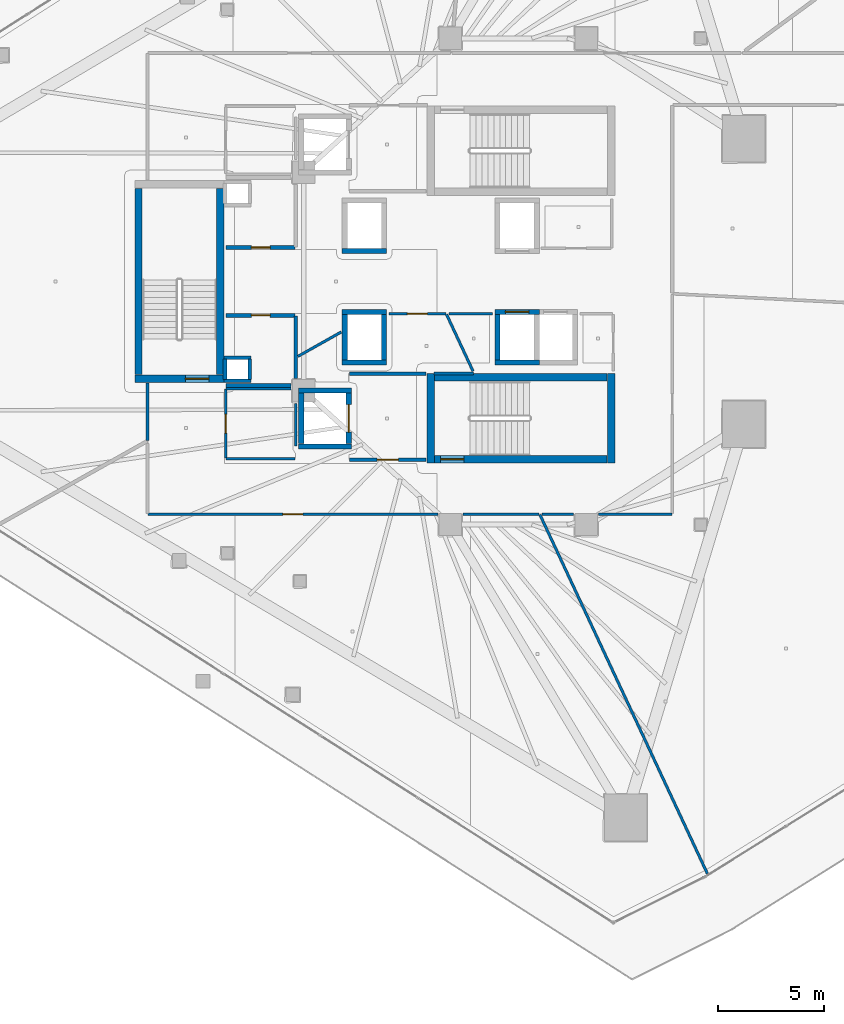
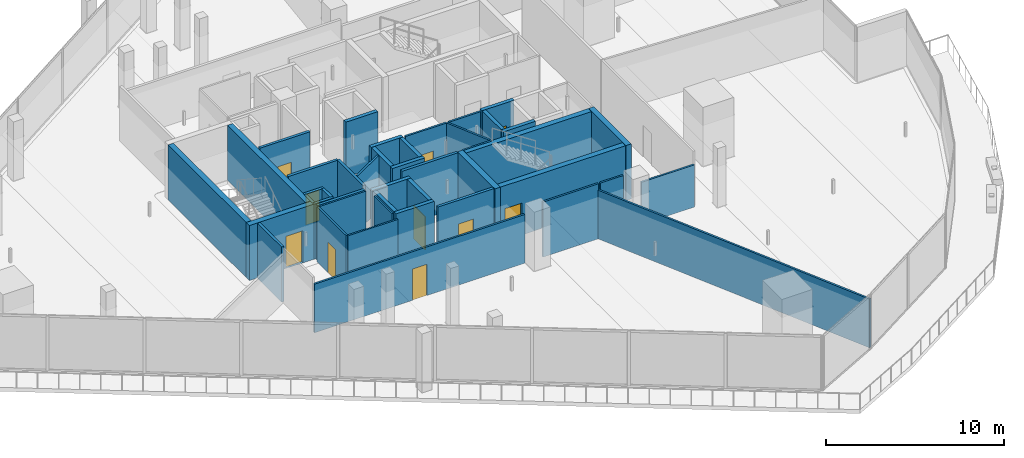
# One storey, part 25 of 38: 44 walls, 10 doors, 10 openings.
"""IFC4 building model written with IfcOpenShell, lengths in metres."""

from ifc_helpers import new_model, si_unit, direction, frame, frame_2d, origin, place, context, subcontext, project, spatial, rectangle, extrude, material, layer, layer_set, type_object, element, fill, save


model = new_model("IFC4")

# Units and contexts
model_context = context("Model", 3, precision=1e-05, world=origin(), true_north=direction((0.0, 1.0)))
body_context = subcontext(model_context, "Body", "Model", "MODEL_VIEW")
ifc_project = project(units=[si_unit("LENGTHUNIT", "METRE"), si_unit("AREAUNIT", "SQUARE_METRE"), si_unit("VOLUMEUNIT", "CUBIC_METRE"), si_unit("PLANEANGLEUNIT", "RADIAN"), si_unit("MASSUNIT", "GRAM", prefix="KILO")], contexts=[model_context])

# Site, building, storey
site_placement = place(None, origin())
site = spatial("IfcSite", under=ifc_project, at=site_placement, CompositionType="ELEMENT")
building_placement = place(site_placement, origin())
building = spatial("IfcBuilding", under=site, at=building_placement, Name="Qorvath Tower", CompositionType="ELEMENT")
storey_placement = place(building_placement, frame((0.0, 0.0, 134.10009765625)))
storey = spatial("IfcBuildingStorey", under=building, at=storey_placement, Name="L30", CompositionType="ELEMENT", Elevation=134.10009765625)

# Walls
ifc_material_1 = material(Name="Gypsum shaftliner on steel studs", Category="steel")
ifc_layer_1 = layer(ifc_material_1, 0.179931640625)
ifc_layer_set_1 = layer_set([ifc_layer_1], Name="FW-LOBBY")
wall_type_1 = type_object("IfcWallType", Name="FW-LOBBY", PredefinedType="PARTITIONING", material=ifc_layer_set_1)
for number, where, z_axis, x_axis, name in (
    (1, (-32.989990234375, -4.675048828125, 0.0), (0.0, 0.0, 1.0), (-1.0, 0.0, 0.0), "MEP Riser Shaft Enclosure Wall S-L30-S"),
    (2, (-34.260009765625, -3.594970703125, 0.0), (0.0, 0.0, 1.0), (1.0, 0.0, 0.0), "MEP Riser Shaft Enclosure Wall S-L30-N"),
):
    element("IfcWall", number, at=place(storey_placement, frame(where, z_axis=z_axis, x_axis=x_axis)), inside=storey, type_object=wall_type_1, Name=name, PredefinedType="PARTITIONING", context=body_context, shape_type="SweptSolid", body=[
        extrude(rectangle(XDim=1.27001953125, YDim=0.179931640625, at=frame_2d((0.635009765625, 0.0))), origin(), (0.0, 0.0, 1.0), 3.77978515625),
    ])
for number, where, z_axis, x_axis, name in (
    (3, (-34.205078125, -4.610107421875, 0.0), (0.0, 0.0, 1.0), (0.0, 1.0, 0.0), "MEP Riser Shaft Enclosure Wall S-L30-W"),
    (4, (-33.044921875, -3.659912109375, 0.0), (0.0, 0.0, 1.0), (0.0, -1.0, 0.0), "MEP Riser Shaft Enclosure Wall S-L30-E"),
):
    element("IfcWall", number, at=place(storey_placement, frame(where, z_axis=z_axis, x_axis=x_axis)), inside=storey, type_object=wall_type_1, Name=name, PredefinedType="PARTITIONING", context=body_context, shape_type="SweptSolid", body=[
        extrude(rectangle(XDim=0.9501953125, YDim=0.179931640625, at=frame_2d((0.47509765625, 0.0))), origin(), (0.0, 0.0, 1.0), 3.77978515625),
    ])

# Wall, opening, door
wall_1_placement = place(storey_placement, frame((-28.35498046875, -8.39990234375, 0.0), z_axis=(0.0, 0.0, 1.0), x_axis=(1.0, 0.0, 0.0)))
wall_1 = element("IfcWall", 5, at=wall_1_placement, inside=storey, type_object=wall_type_1, Name="Interior Partition IW-T1-L30-003", PredefinedType="PARTITIONING", context=body_context, shape_type="SweptSolid", body=[
    extrude(rectangle(XDim=3.6220703125, YDim=0.179931640625, at=frame_2d((1.81103515625, 0.0))), origin(), (0.0, 0.0, 1.0), 3.77978515625),
])
opening_1_placement = place(wall_1_placement, frame((1.31103515625, 0.0, 0.0)))
opening_1 = element("IfcOpeningElement", 6, at=opening_1_placement, cuts=wall_1, Name="Opening D-T1-L30-14", PredefinedType="OPENING", context=body_context, shape_type="SweptSolid", body=[
    extrude(rectangle(XDim=1.0, YDim=2.14990234375, at=frame_2d((0.5, 1.074951171875))), frame((0.0, 0.10009765625, 0.0), z_axis=(0.0, -1.0, 0.0), x_axis=(1.0, 0.0, 0.0)), (0.0, 0.0, 1.0), 0.199951171875),
])
ifc_material_2 = material(Name="Painted galvanised hollow metal", Category="steel")
door_type_1 = type_object("IfcDoorType", Name="FD-60", OperationType="NOTDEFINED", PredefinedType="DOOR", material=ifc_material_2)
door_1_placement = place(opening_1_placement, origin())
door_1 = element("IfcDoor", 7, at=door_1_placement, inside=storey, type_object=door_type_1, Name="Lobby Fire Service Elevator South Door D-T1-L30-14", OperationType="SINGLE_SWING_LEFT", OverallHeight=2.14990234375, OverallWidth=1.0, PredefinedType="DOOR", context=body_context, shape_type="SweptSolid", body=[
    extrude(rectangle(XDim=1.0, YDim=2.14990234375, at=frame_2d((0.5, 1.074951171875))), frame((0.0, 0.02490234375, 0.0), z_axis=(0.0, -1.0, 0.0), x_axis=(1.0, 0.0, 0.0)), (0.0, 0.0, 1.0), 0.050048828125),
])
fill(opening_1, door_1)

# Wall
wall_2_placement = place(storey_placement, frame((-24.73291015625, -4.35009765625, 0.0), z_axis=(0.0, 0.0, 1.0), x_axis=(-1.0, 0.0, 0.0)))
element("IfcWall", 8, at=wall_2_placement, inside=storey, type_object=wall_type_1, Name="Interior Partition IW-T1-L30-004", PredefinedType="PARTITIONING", context=body_context, shape_type="SweptSolid", body=[
    extrude(rectangle(XDim=3.6220703125, YDim=0.179931640625, at=frame_2d((1.81103515625, 0.0))), origin(), (0.0, 0.0, 1.0), 3.77978515625),
])

# Wall, opening, door
wall_3_placement = place(storey_placement, frame((-34.15478515625, 1.60009765625, 0.0), z_axis=(0.0, 0.0, 1.0), x_axis=(1.0, 0.0, 0.0)))
wall_3 = element("IfcWall", 9, at=wall_3_placement, inside=storey, type_object=wall_type_1, Name="Interior Partition IW-T1-L30-015", PredefinedType="PARTITIONING", context=body_context, shape_type="SweptSolid", body=[
    extrude(rectangle(XDim=3.25, YDim=0.179931640625, at=frame_2d((1.625, 0.0))), origin(), (0.0, 0.0, 1.0), 3.77978515625),
])
opening_2_placement = place(wall_3_placement, frame((1.18505859375, 0.0, 0.0)))
opening_2 = element("IfcOpeningElement", 10, at=opening_2_placement, cuts=wall_3, Name="Opening D-T1-L30-04", PredefinedType="OPENING", context=body_context, shape_type="SweptSolid", body=[
    extrude(rectangle(XDim=0.8798828125, YDim=2.10009765625, at=frame_2d((0.43994140625, 1.050048828125))), frame((0.0, 0.10009765625, 0.0), z_axis=(0.0, -1.0, 0.0), x_axis=(1.0, 0.0, 0.0)), (0.0, 0.0, 1.0), 0.199951171875),
])
ifc_material_3 = material(Name="Painted galvanised hollow metal", Category="steel")
door_type_2 = type_object("IfcDoorType", Name="FD-60N", OperationType="NOTDEFINED", PredefinedType="DOOR", material=ifc_material_3)
door_2_placement = place(opening_2_placement, origin())
door_2 = element("IfcDoor", 11, at=door_2_placement, inside=storey, type_object=door_type_2, Name="Core cleaner and custodial room L30 Door D-T1-L30-04", OperationType="SINGLE_SWING_LEFT", OverallHeight=2.10009765625, OverallWidth=0.8798828125, PredefinedType="DOOR", context=body_context, shape_type="SweptSolid", body=[
    extrude(rectangle(XDim=0.8798828125, YDim=2.10009765625, at=frame_2d((0.43994140625, 1.050048828125))), frame((0.0, 0.02490234375, 0.0), z_axis=(0.0, -1.0, 0.0), x_axis=(1.0, 0.0, 0.0)), (0.0, 0.0, 1.0), 0.050048828125),
])
fill(opening_2, door_2)

# Walls
wall_4_placement = place(storey_placement, frame((-34.15478515625, -4.89990234375, 0.0), z_axis=(0.0, 0.0, 1.0), x_axis=(1.0, 0.0, 0.0)))
element("IfcWall", 12, at=wall_4_placement, inside=storey, type_object=wall_type_1, Name="Interior Partition IW-T1-L30-018", PredefinedType="PARTITIONING", context=body_context, shape_type="SweptSolid", body=[
    extrude(rectangle(XDim=3.064697265625, YDim=0.179931640625, at=frame_2d((1.5322265625, 0.0))), origin(), (0.0, 0.0, 1.0), 3.77978515625),
])
wall_5_placement = place(storey_placement, frame((-30.8798828125, -4.56005859375, 0.0), z_axis=(0.0, 0.0, 1.0), x_axis=(0.0, 1.0, 0.0)))
element("IfcWall", 13, at=wall_5_placement, inside=storey, type_object=wall_type_1, Name="Interior Partition IW-T1-L30-019", PredefinedType="PARTITIONING", context=body_context, shape_type="SweptSolid", body=[
    extrude(rectangle(XDim=2.93505859375, YDim=0.179931640625, at=frame_2d((1.467529296875, 0.0))), origin(), (0.0, 0.0, 1.0), 3.77978515625),
])

# Wall, opening, door
wall_6_placement = place(storey_placement, frame((-30.90478515625, -1.60009765625, 0.0), z_axis=(0.0, 0.0, 1.0), x_axis=(-1.0, 0.0, 0.0)))
wall_6 = element("IfcWall", 14, at=wall_6_placement, inside=storey, type_object=wall_type_1, Name="Interior Partition IW-T1-L30-020", PredefinedType="PARTITIONING", context=body_context, shape_type="SweptSolid", body=[
    extrude(rectangle(XDim=3.25, YDim=0.179931640625, at=frame_2d((1.625, 0.0))), origin(), (0.0, 0.0, 1.0), 3.77978515625),
])
opening_3_placement = place(wall_6_placement, frame((1.18505859375, 0.0, 0.0)))
opening_3 = element("IfcOpeningElement", 15, at=opening_3_placement, cuts=wall_6, Name="Opening D-T1-L30-05", PredefinedType="OPENING", context=body_context, shape_type="SweptSolid", body=[
    extrude(rectangle(XDim=0.8798828125, YDim=2.10009765625, at=frame_2d((0.43994140625, 1.050048828125))), frame((0.0, 0.10009765625, 0.0), z_axis=(0.0, -1.0, 0.0), x_axis=(1.0, 0.0, 0.0)), (0.0, 0.0, 1.0), 0.199951171875),
])
door_3_placement = place(opening_3_placement, origin())
door_3 = element("IfcDoor", 16, at=door_3_placement, inside=storey, type_object=door_type_2, Name="Core electrical room L30 Door D-T1-L30-05", OperationType="SINGLE_SWING_RIGHT", OverallHeight=2.10009765625, OverallWidth=0.8798828125, PredefinedType="DOOR", context=body_context, shape_type="SweptSolid", body=[
    extrude(rectangle(XDim=0.8798828125, YDim=2.10009765625, at=frame_2d((0.43994140625, 1.050048828125))), frame((0.0, 0.02490234375, 0.0), z_axis=(0.0, -1.0, 0.0), x_axis=(1.0, 0.0, 0.0)), (0.0, 0.0, 1.0), 0.050048828125),
])
fill(opening_3, door_3)

# Wall
ifc_material_4 = material(Name="Double acoustic gypsum board on steel studs", Category="steel")
ifc_layer_2 = layer(ifc_material_4, 0.159912109375)
ifc_layer_set_2 = layer_set([ifc_layer_2], Name="IW-ACOUSTIC-160")
wall_type_2 = type_object("IfcWallType", Name="IW-ACOUSTIC-160", PredefinedType="PARTITIONING", material=ifc_layer_set_2)
wall_7_placement = place(storey_placement, frame((-37.85791015625, -7.48388671875, 0.0), z_axis=(0.0, 0.0, 1.0), x_axis=(0.0, 1.0, 0.0)))
element("IfcWall", 17, at=wall_7_placement, inside=storey, type_object=wall_type_2, Name="Interior Partition IW-T1-L30-021", PredefinedType="PARTITIONING", context=body_context, shape_type="SweptSolid", body=[
    extrude(rectangle(XDim=2.70068359375, YDim=0.159912109375, at=frame_2d((1.350341796875, 0.0))), origin(), (0.0, 0.0, 1.0), 3.77978515625),
])

# Wall, opening, door
ifc_material_5 = material(Name="Gypsum board on metal studs with mineral wool", Category="gypsum")
ifc_layer_3 = layer(ifc_material_5, 0.125)
ifc_layer_set_3 = layer_set([ifc_layer_3], Name="IW-PART-125")
wall_type_3 = type_object("IfcWallType", Name="IW-PART-125", PredefinedType="PARTITIONING", material=ifc_layer_set_3)
wall_8_placement = place(storey_placement, frame((-24.18994140625, -10.9580078125, 0.0), z_axis=(0.0, 0.0, 1.0), x_axis=(-1.0, 0.0, 0.0)))
wall_8 = element("IfcWall", 18, at=wall_8_placement, inside=storey, type_object=wall_type_3, Name="Interior Partition IW-T1-L30-026", PredefinedType="PARTITIONING", context=body_context, shape_type="SweptSolid", body=[
    extrude(rectangle(XDim=13.64306640625, YDim=0.125, at=frame_2d((6.821533203125, 0.0))), origin(), (0.0, 0.0, 1.0), 3.343994140625),
])
opening_4_placement = place(wall_8_placement, frame((6.346435546875, 0.0, 0.0)))
opening_4 = element("IfcOpeningElement", 19, at=opening_4_placement, cuts=wall_8, Name="Opening D-T1-L30-07", PredefinedType="OPENING", context=body_context, shape_type="SweptSolid", body=[
    extrude(rectangle(XDim=0.949951171875, YDim=2.14990234375, at=frame_2d((0.47509765625, 1.074951171875))), frame((0.0, 0.072509765625, 0.0), z_axis=(0.0, -1.0, 0.0), x_axis=(1.0, 0.0, 0.0)), (0.0, 0.0, 1.0), 0.14501953125),
])
ifc_material_6 = material(Name="Solid-core American white oak veneer", Category="wood")
door_type_3 = type_object("IfcDoorType", Name="D-01", OperationType="NOTDEFINED", PredefinedType="DOOR", material=ifc_material_6)
door_4_placement = place(opening_4_placement, origin())
door_4 = element("IfcDoor", 20, at=door_4_placement, inside=storey, type_object=door_type_3, Name="L30-02 Project Collaboration Workspace Door D-T1-L30-07", OperationType="SINGLE_SWING_RIGHT", OverallHeight=2.14990234375, OverallWidth=0.949951171875, PredefinedType="DOOR", context=body_context, shape_type="SweptSolid", body=[
    extrude(rectangle(XDim=0.949951171875, YDim=2.14990234375, at=frame_2d((0.47509765625, 1.074951171875))), frame((0.0, 0.02490234375, 0.0), z_axis=(0.0, -1.0, 0.0), x_axis=(1.0, 0.0, 0.0)), (0.0, 0.0, 1.0), 0.050048828125),
])
fill(opening_4, door_4)

# Walls
wall_9_placement = place(storey_placement, frame((-11.495849609375, -27.8818359375, 0.0), z_axis=(0.0, 0.0, 1.0), x_axis=(-0.422692669293, 0.906273086507, 0.0)))
element("IfcWall", 21, at=wall_9_placement, inside=storey, type_object=wall_type_3, Name="Interior Partition IW-T1-L30-028", PredefinedType="PARTITIONING", context=body_context, shape_type="SweptSolid", body=[
    extrude(rectangle(XDim=18.64892578125, YDim=0.125, at=frame_2d((9.324462890625, 0.0))), origin(), (0.0, 0.0, 1.0), 3.343994140625),
])
wall_10_placement = place(storey_placement, frame((-19.414306640625, -10.9580078125, 0.0), z_axis=(0.0, 0.0, 1.0), x_axis=(-1.0, 0.0, 0.0)))
element("IfcWall", 22, at=wall_10_placement, inside=storey, type_object=wall_type_3, Name="Interior Partition IW-T1-L30-029", PredefinedType="PARTITIONING", context=body_context, shape_type="SweptSolid", body=[
    extrude(rectangle(XDim=3.595703125, YDim=0.125, at=frame_2d((1.7978515625, 0.0))), origin(), (0.0, 0.0, 1.0), 3.77978515625),
])

# Wall, opening, door
wall_11_placement = place(storey_placement, frame((-23.8125, -1.528076171875, 0.0), z_axis=(0.0, 0.0, 1.0), x_axis=(-1.0, 0.0, 0.0)))
wall_11 = element("IfcWall", 23, at=wall_11_placement, inside=storey, type_object=wall_type_3, Name="Interior Partition IW-T1-L30-030", PredefinedType="PARTITIONING", context=body_context, shape_type="SweptSolid", body=[
    extrude(rectangle(XDim=2.6728515625, YDim=0.125, at=frame_2d((1.33642578125, 0.0))), origin(), (0.0, 0.0, 1.0), 3.77978515625),
])
opening_5_placement = place(wall_11_placement, frame((0.861328125, 0.0, 0.0)))
opening_5 = element("IfcOpeningElement", 24, at=opening_5_placement, cuts=wall_11, Name="Opening D-T1-L30-08", PredefinedType="OPENING", context=body_context, shape_type="SweptSolid", body=[
    extrude(rectangle(XDim=0.949951171875, YDim=2.14990234375, at=frame_2d((0.47509765625, 1.074951171875))), frame((0.0, 0.072509765625, 0.0), z_axis=(0.0, -1.0, 0.0), x_axis=(1.0, 0.0, 0.0)), (0.0, 0.0, 1.0), 0.14501953125),
])
door_5_placement = place(opening_5_placement, origin())
door_5 = element("IfcDoor", 25, at=door_5_placement, inside=storey, type_object=door_type_3, Name="L30-03 Staff Wellness Studio Door D-T1-L30-08", OperationType="SINGLE_SWING_LEFT", OverallHeight=2.14990234375, OverallWidth=0.949951171875, PredefinedType="DOOR", context=body_context, shape_type="SweptSolid", body=[
    extrude(rectangle(XDim=0.949951171875, YDim=2.14990234375, at=frame_2d((0.47509765625, 1.074951171875))), frame((0.0, 0.02490234375, 0.0), z_axis=(0.0, -1.0, 0.0), x_axis=(1.0, 0.0, 0.0)), (0.0, 0.0, 1.0), 0.050048828125),
])
fill(opening_5, door_5)

# Walls
wall_12_placement = place(storey_placement, frame((-28.73193359375, -2.37890625, 0.0), z_axis=(0.0, 0.0, 1.0), x_axis=(-0.871711937641, -0.490018670842, 0.0)))
element("IfcWall", 26, at=wall_12_placement, inside=storey, type_object=wall_type_3, Name="Interior Partition IW-T1-L30-031", PredefinedType="PARTITIONING", context=body_context, shape_type="SweptSolid", body=[
    extrude(rectangle(XDim=2.341552734375, YDim=0.125, at=frame_2d((1.1708984375, 0.0))), origin(), (0.0, 0.0, 1.0), 3.77978515625),
])
wall_13_placement = place(storey_placement, frame((-24.360107421875, -4.335205078125, 0.0), z_axis=(0.0, 0.0, 1.0), x_axis=(0.999998537438, 0.001710298775, 0.0)))
element("IfcWall", 27, at=wall_13_placement, inside=storey, type_object=wall_type_3, Name="Interior Partition IW-T1-L30-032", PredefinedType="PARTITIONING", context=body_context, shape_type="SweptSolid", body=[
    extrude(rectangle(XDim=1.855712890625, YDim=0.125, at=frame_2d((0.927734375, 0.0))), origin(), (0.0, 0.0, 1.0), 3.77978515625),
])
wall_14_placement = place(storey_placement, frame((-22.52978515625, -4.224365234375, 0.0), z_axis=(0.0, 0.0, 1.0), x_axis=(-0.422717831819, 0.906261350088, 0.0)))
element("IfcWall", 28, at=wall_14_placement, inside=storey, type_object=wall_type_3, Name="Interior Partition IW-T1-L30-033", PredefinedType="PARTITIONING", context=body_context, shape_type="SweptSolid", body=[
    extrude(rectangle(XDim=2.9501953125, YDim=0.125, at=frame_2d((1.47509765625, 0.0))), origin(), (0.0, 0.0, 1.0), 3.77978515625),
])
wall_15_placement = place(storey_placement, frame((-17.7900390625, -10.9580078125, 0.0), z_axis=(0.0, 0.0, 1.0), x_axis=(-1.0, 0.0, 0.0)))
element("IfcWall", 29, at=wall_15_placement, inside=storey, type_object=wall_type_3, Name="Interior Partition IW-T1-L30-034", PredefinedType="PARTITIONING", context=body_context, shape_type="SweptSolid", body=[
    extrude(rectangle(XDim=1.48046875, YDim=0.125, at=frame_2d((0.740234375, 0.0))), origin(), (0.0, 0.0, 1.0), 3.77978515625),
])
wall_16_placement = place(storey_placement, frame((-13.1669921875, -10.9580078125, 0.0), z_axis=(0.0, 0.0, 1.0), x_axis=(-1.0, 0.0, 0.0)))
element("IfcWall", 30, at=wall_16_placement, inside=storey, type_object=wall_type_3, Name="Interior Partition IW-T1-L30-037", PredefinedType="PARTITIONING", context=body_context, shape_type="SweptSolid", body=[
    extrude(rectangle(XDim=3.443115234375, YDim=0.125, at=frame_2d((1.7216796875, 0.0))), origin(), (0.0, 0.0, 1.0), 2.894775390625),
])
wall_17_placement = place(storey_placement, frame((-21.61474609375, -1.528076171875, 0.0), z_axis=(0.0, 0.0, 1.0), x_axis=(-1.0, 0.0, 0.0)))
element("IfcWall", 31, at=wall_17_placement, inside=storey, type_object=wall_type_3, Name="Interior Partition IW-T1-L30-040", PredefinedType="PARTITIONING", context=body_context, shape_type="SweptSolid", body=[
    extrude(rectangle(XDim=2.053955078125, YDim=0.125, at=frame_2d((1.02685546875, 0.0))), origin(), (0.0, 0.0, 1.0), 3.77978515625),
])
ifc_material_7 = material(Name="Moisture-resistant cement board on metal studs", Category="gypsum")
ifc_layer_4 = layer(ifc_material_7, 0.110107421875)
ifc_layer_set_4 = layer_set([ifc_layer_4], Name="IW-WC-110")
wall_type_4 = type_object("IfcWallType", Name="IW-WC-110", PredefinedType="PARTITIONING", material=ifc_layer_set_4)
wall_18_placement = place(storey_placement, frame((-34.15478515625, -8.35009765625, 0.0), z_axis=(0.0, 0.0, 1.0), x_axis=(1.0, 0.0, 0.0)))
element("IfcWall", 32, at=wall_18_placement, inside=storey, type_object=wall_type_4, Name="Interior Partition IW-T1-L30-009", PredefinedType="PARTITIONING", context=body_context, shape_type="SweptSolid", body=[
    extrude(rectangle(XDim=3.25, YDim=0.110107421875, at=frame_2d((1.625, 0.0))), origin(), (0.0, 0.0, 1.0), 3.77978515625),
])
wall_19_placement = place(storey_placement, frame((-30.8798828125, -7.742919921875, 0.0), z_axis=(0.0, 0.0, 1.0), x_axis=(0.0, 1.0, 0.0)))
element("IfcWall", 33, at=wall_19_placement, inside=storey, type_object=wall_type_4, Name="Interior Partition IW-T1-L30-010", PredefinedType="PARTITIONING", context=body_context, shape_type="SweptSolid", body=[
    extrude(rectangle(XDim=2.0029296875, YDim=0.110107421875, at=frame_2d((1.00146484375, 0.0))), origin(), (0.0, 0.0, 1.0), 3.77978515625),
])
wall_20_placement = place(storey_placement, frame((-31.090087890625, -5.050048828125, 0.0), z_axis=(0.0, 0.0, 1.0), x_axis=(-1.0, 0.0, 0.0)))
element("IfcWall", 34, at=wall_20_placement, inside=storey, type_object=wall_type_4, Name="Interior Partition IW-T1-L30-011", PredefinedType="PARTITIONING", context=body_context, shape_type="SweptSolid", body=[
    extrude(rectangle(XDim=3.064697265625, YDim=0.110107421875, at=frame_2d((1.5322265625, 0.0))), origin(), (0.0, 0.0, 1.0), 3.77978515625),
])

# Wall, opening, door
wall_21_placement = place(storey_placement, frame((-34.179931640625, -5.074951171875, 0.0), z_axis=(0.0, 0.0, 1.0), x_axis=(0.0, -1.0, 0.0)))
wall_21 = element("IfcWall", 35, at=wall_21_placement, inside=storey, type_object=wall_type_4, Name="Interior Partition IW-T1-L30-012", PredefinedType="PARTITIONING", context=body_context, shape_type="SweptSolid", body=[
    extrude(rectangle(XDim=3.250244140625, YDim=0.110107421875, at=frame_2d((1.625, 0.0))), origin(), (0.0, 0.0, 1.0), 3.77978515625),
])
opening_6_placement = place(wall_21_placement, frame((1.18505859375, 0.0, 0.0)))
opening_6 = element("IfcOpeningElement", 36, at=opening_6_placement, cuts=wall_21, Name="Opening D-T1-L30-02", PredefinedType="OPENING", context=body_context, shape_type="SweptSolid", body=[
    extrude(rectangle(XDim=0.8798828125, YDim=2.10009765625, at=frame_2d((0.43994140625, 1.050048828125))), frame((0.0, 0.06494140625, 0.0), z_axis=(0.0, -1.0, 0.0), x_axis=(1.0, 0.0, 0.0)), (0.0, 0.0, 1.0), 0.130126953125),
])
ifc_material_8 = material(Name="Solid-core oak with acoustic drop seal", Category="wood")
door_type_4 = type_object("IfcDoorType", Name="D-02", OperationType="NOTDEFINED", PredefinedType="DOOR", material=ifc_material_8)
door_6_placement = place(opening_6_placement, origin())
door_6 = element("IfcDoor", 37, at=door_6_placement, inside=storey, type_object=door_type_4, Name="Accessible WC South L30 Door D-T1-L30-02", OperationType="SINGLE_SWING_LEFT", OverallHeight=2.10009765625, OverallWidth=0.8798828125, PredefinedType="DOOR", context=body_context, shape_type="SweptSolid", body=[
    extrude(rectangle(XDim=0.8798828125, YDim=2.10009765625, at=frame_2d((0.43994140625, 1.050048828125))), frame((0.0, 0.02490234375, 0.0), z_axis=(0.0, -1.0, 0.0), x_axis=(1.0, 0.0, 0.0)), (0.0, 0.0, 1.0), 0.050048828125),
])
fill(opening_6, door_6)

# Walls
ifc_material_9 = material(Name="Concrete C60/75", Category="concrete")
ifc_layer_5 = layer(ifc_material_9, 0.260009765625)
ifc_layer_set_5 = layer_set([ifc_layer_5], Name="SW-SHAFT")
wall_type_5 = type_object("IfcWallType", Name="SW-SHAFT", PredefinedType="SHEAR", material=ifc_layer_set_5)
for number, where, z_axis, x_axis, name in (
    (38, (-28.260009765625, -7.77001953125, 0.0), (0.0, 0.0, 1.0), (-1.0, 0.0, 0.0), "Hoistway Wall FSAE-2 L30 S"),
    (39, (-30.739990234375, -5.1298828125, 0.0), (0.0, 0.0, 1.0), (1.0, 0.0, 0.0), "Hoistway Wall FSAE-2 L30 N"),
):
    element("IfcWall", number, at=place(storey_placement, frame(where, z_axis=z_axis, x_axis=x_axis)), inside=storey, type_object=wall_type_5, Name=name, PredefinedType="SHEAR", context=body_context, shape_type="SweptSolid", body=[
        extrude(rectangle(XDim=2.47998046875, YDim=0.239990234375, at=frame_2d((1.239990234375, 0.0))), origin(), (0.0, 0.0, 1.0), 3.77978515625),
    ])
wall_22_placement = place(storey_placement, frame((-30.6201171875, -7.637939453125, 0.0), z_axis=(0.0, 0.0, 1.0), x_axis=(0.0, 1.0, 0.0)))
element("IfcWall", 40, at=wall_22_placement, inside=storey, type_object=wall_type_5, Name="Hoistway Wall FSAE-2 L30 W", PredefinedType="SHEAR", context=body_context, shape_type="SweptSolid", body=[
    extrude(rectangle(XDim=2.3759765625, YDim=0.239990234375, at=frame_2d((1.18798828125, 0.0))), origin(), (0.0, 0.0, 1.0), 3.77978515625),
])

# Wall, opening, door
wall_23_placement = place(storey_placement, frame((-28.3798828125, -5.261962890625, 0.0), z_axis=(0.0, 0.0, 1.0), x_axis=(0.0, -1.0, 0.0)))
wall_23 = element("IfcWall", 41, at=wall_23_placement, inside=storey, type_object=wall_type_5, Name="Hoistway Wall FSAE-2 L30 E", PredefinedType="SHEAR", context=body_context, shape_type="SweptSolid", body=[
    extrude(rectangle(XDim=2.3759765625, YDim=0.239990234375, at=frame_2d((1.18798828125, 0.0))), origin(), (0.0, 0.0, 1.0), 3.77978515625),
])
opening_7_placement = place(wall_23_placement, frame((0.5380859375, 0.0, 0.0)))
opening_7 = element("IfcOpeningElement", 42, at=opening_7_placement, cuts=wall_23, Name="Opening LD-FSAE-2-L30", PredefinedType="OPENING", context=body_context, shape_type="SweptSolid", body=[
    extrude(rectangle(XDim=1.300048828125, YDim=2.300048828125, at=frame_2d((0.64990234375, 1.14990234375))), frame((0.0, 0.1298828125, 0.0), z_axis=(0.0, -1.0, 0.0), x_axis=(1.0, 0.0, 0.0)), (0.0, 0.0, 1.0), 0.260009765625),
])
ifc_material_10 = material(Name="Brushed stainless steel AISI 316", Category="steel")
door_type_5 = type_object("IfcDoorType", Name="LD-02", OperationType="NOTDEFINED", PredefinedType="DOOR", material=ifc_material_10)
door_7_placement = place(opening_7_placement, origin())
door_7 = element("IfcDoor", 43, at=door_7_placement, inside=storey, type_object=door_type_5, Name="Elevator Landing Sliding Door LD-FSAE-2-L30", OperationType="DOUBLE_DOOR_SLIDING", OverallHeight=2.300048828125, OverallWidth=1.300048828125, PredefinedType="DOOR", context=body_context, shape_type="SweptSolid", body=[
    extrude(rectangle(XDim=1.300048828125, YDim=2.300048828125, at=frame_2d((0.64990234375, 1.14990234375))), frame((0.0, 0.02490234375, 0.0), z_axis=(0.0, -1.0, 0.0), x_axis=(1.0, 0.0, 0.0)), (0.0, 0.0, 1.0), 0.050048828125),
])
fill(opening_7, door_7)

# Walls
for number, where, z_axis, x_axis, name in (
    (44, (-26.610107421875, 1.429931640625, 0.0), (0.0, 0.0, 1.0), (-1.0, 0.0, 0.0), "Hoistway Wall PS-1 L30 S"),
    (45, (-26.610107421875, -3.820068359375, 0.0), (0.0, 0.0, 1.0), (-1.0, 0.0, 0.0), "Hoistway Wall PS-2 L30 S"),
    (46, (-28.68994140625, -1.429931640625, 0.0), (0.0, 0.0, 1.0), (1.0, 0.0, 0.0), "Hoistway Wall PS-2 L30 N"),
):
    element("IfcWall", number, at=place(storey_placement, frame(where, z_axis=z_axis, x_axis=x_axis)), inside=storey, type_object=wall_type_5, Name=name, PredefinedType="SHEAR", context=body_context, shape_type="SweptSolid", body=[
        extrude(rectangle(XDim=2.079833984375, YDim=0.239990234375, at=frame_2d((1.0400390625, 0.0))), origin(), (0.0, 0.0, 1.0), 3.77978515625),
    ])
for number, where, z_axis, x_axis, name in (
    (47, (-28.570068359375, -3.68798828125, 0.0), (0.0, 0.0, 1.0), (0.0, 1.0, 0.0), "Hoistway Wall PS-2 L30 W"),
    (48, (-26.72998046875, -1.56201171875, 0.0), (0.0, 0.0, 1.0), (0.0, -1.0, 0.0), "Hoistway Wall PS-2 L30 E"),
):
    element("IfcWall", number, at=place(storey_placement, frame(where, z_axis=z_axis, x_axis=x_axis)), inside=storey, type_object=wall_type_5, Name=name, PredefinedType="SHEAR", context=body_context, shape_type="SweptSolid", body=[
        extrude(rectangle(XDim=2.1259765625, YDim=0.239990234375, at=frame_2d((1.06298828125, 0.0))), origin(), (0.0, 0.0, 1.0), 3.77978515625),
    ])
wall_24_placement = place(storey_placement, frame((-19.409912109375, -3.820068359375, 0.0), z_axis=(0.0, 0.0, 1.0), x_axis=(-1.0, 0.0, 0.0)))
element("IfcWall", 49, at=wall_24_placement, inside=storey, type_object=wall_type_5, Name="Hoistway Wall PM-2 L30 S", PredefinedType="SHEAR", context=body_context, shape_type="SweptSolid", body=[
    extrude(rectangle(XDim=2.080078125, YDim=0.239990234375, at=frame_2d((1.0400390625, 0.0))), origin(), (0.0, 0.0, 1.0), 3.77978515625),
])

# Wall, opening, door
wall_25_placement = place(storey_placement, frame((-21.489990234375, -1.429931640625, 0.0), z_axis=(0.0, 0.0, 1.0), x_axis=(1.0, 0.0, 0.0)))
wall_25 = element("IfcWall", 50, at=wall_25_placement, inside=storey, type_object=wall_type_5, Name="Hoistway Wall PM-2 L30 N", PredefinedType="SHEAR", context=body_context, shape_type="SweptSolid", body=[
    extrude(rectangle(XDim=2.080078125, YDim=0.239990234375, at=frame_2d((1.0400390625, 0.0))), origin(), (0.0, 0.0, 1.0), 3.77978515625),
])
opening_8_placement = place(wall_25_placement, frame((0.489990234375, 0.0, 0.0)))
opening_8 = element("IfcOpeningElement", 51, at=opening_8_placement, cuts=wall_25, Name="Opening LD-PM-2-L30", PredefinedType="OPENING", context=body_context, shape_type="SweptSolid", body=[
    extrude(rectangle(XDim=1.10009765625, YDim=2.199951171875, at=frame_2d((0.550048828125, 1.10009765625))), frame((0.0, 0.1298828125, 0.0), z_axis=(0.0, -1.0, 0.0), x_axis=(1.0, 0.0, 0.0)), (0.0, 0.0, 1.0), 0.260009765625),
])
ifc_material_11 = material(Name="Brushed stainless steel AISI 316", Category="steel")
door_type_6 = type_object("IfcDoorType", Name="LD-01", OperationType="NOTDEFINED", PredefinedType="DOOR", material=ifc_material_11)
door_8_placement = place(opening_8_placement, origin())
door_8 = element("IfcDoor", 52, at=door_8_placement, inside=storey, type_object=door_type_6, Name="Elevator Landing Sliding Door LD-PM-2-L30", OperationType="DOUBLE_DOOR_SLIDING", OverallHeight=2.199951171875, OverallWidth=1.10009765625, PredefinedType="DOOR", context=body_context, shape_type="SweptSolid", body=[
    extrude(rectangle(XDim=1.10009765625, YDim=2.199951171875, at=frame_2d((0.550048828125, 1.10009765625))), frame((0.0, 0.02490234375, 0.0), z_axis=(0.0, -1.0, 0.0), x_axis=(1.0, 0.0, 0.0)), (0.0, 0.0, 1.0), 0.050048828125),
])
fill(opening_8, door_8)

# Walls
wall_26_placement = place(storey_placement, frame((-21.3701171875, -3.68798828125, 0.0), z_axis=(0.0, 0.0, 1.0), x_axis=(0.0, 1.0, 0.0)))
element("IfcWall", 53, at=wall_26_placement, inside=storey, type_object=wall_type_5, Name="Hoistway Wall PM-2 L30 W", PredefinedType="SHEAR", context=body_context, shape_type="SweptSolid", body=[
    extrude(rectangle(XDim=2.1259765625, YDim=0.239990234375, at=frame_2d((1.06298828125, 0.0))), origin(), (0.0, 0.0, 1.0), 3.77978515625),
])
ifc_material_12 = material(Name="Concrete C60/75", Category="concrete")
ifc_layer_6 = layer(ifc_material_12, 0.35009765625)
ifc_layer_set_6 = layer_set([ifc_layer_6], Name="SW-STAIR")
wall_type_6 = type_object("IfcWallType", Name="SW-STAIR", PredefinedType="SHEAR", material=ifc_layer_set_6)
for number, where, z_axis, x_axis, name in (
    (54, (-24.52490234375, -4.340087890625, 0.0), (0.0, 0.0, 1.0), (0.0, -1.0, 0.0), "Stair TS2 Shear Wall L30 NEAR"),
    (55, (-16.02490234375, -8.550048828125, 0.0), (0.0, 0.0, 1.0), (0.0, 1.0, 0.0), "Stair TS2 Shear Wall L30 FAR"),
):
    element("IfcWall", number, at=place(storey_placement, frame(where, z_axis=z_axis, x_axis=x_axis)), inside=storey, type_object=wall_type_6, Name=name, PredefinedType="SHEAR", context=body_context, shape_type="SweptSolid", body=[
        extrude(rectangle(XDim=4.2099609375, YDim=0.35009765625, at=frame_2d((2.10498046875, 0.0))), origin(), (0.0, 0.0, 1.0), 3.77978515625),
    ])

# Wall, opening, door
wall_27_placement = place(storey_placement, frame((-24.3349609375, -8.375, 0.0), z_axis=(0.0, 0.0, 1.0), x_axis=(1.0, 0.0, 0.0)))
wall_27 = element("IfcWall", 56, at=wall_27_placement, inside=storey, type_object=wall_type_6, Name="Stair TS2 Shear Wall L30 LEFT", PredefinedType="SHEAR", context=body_context, shape_type="SweptSolid", body=[
    extrude(rectangle(XDim=8.119873046875, YDim=0.35009765625, at=frame_2d((4.06005859375, 0.0))), origin(), (0.0, 0.0, 1.0), 3.77978515625),
])
opening_9_placement = place(wall_27_placement, frame((0.280029296875, 0.0, 0.0)))
opening_9 = element("IfcOpeningElement", 57, at=opening_9_placement, cuts=wall_27, Name="Opening D-TS2-L30", PredefinedType="OPENING", context=body_context, shape_type="SweptSolid", body=[
    extrude(rectangle(XDim=1.10009765625, YDim=2.199951171875, at=frame_2d((0.550048828125, 1.10009765625))), frame((0.0, 0.18505859375, 0.0), z_axis=(0.0, -1.0, 0.0), x_axis=(1.0, 0.0, 0.0)), (0.0, 0.0, 1.0), 0.3701171875),
])
ifc_material_13 = material(Name="Painted galvanised hollow metal", Category="steel")
door_type_7 = type_object("IfcDoorType", Name="FD-90", OperationType="NOTDEFINED", PredefinedType="DOOR", material=ifc_material_13)
door_9_placement = place(opening_9_placement, origin())
door_9 = element("IfcDoor", 58, at=door_9_placement, inside=storey, type_object=door_type_7, Name="Stair TS2 Fire Door L30", OperationType="SINGLE_SWING_LEFT", OverallHeight=2.199951171875, OverallWidth=1.10009765625, PredefinedType="DOOR", context=body_context, shape_type="SweptSolid", body=[
    extrude(rectangle(XDim=1.10009765625, YDim=2.199951171875, at=frame_2d((0.550048828125, 1.10009765625))), frame((0.0, 0.02490234375, 0.0), z_axis=(0.0, -1.0, 0.0), x_axis=(1.0, 0.0, 0.0)), (0.0, 0.0, 1.0), 0.050048828125),
])
fill(opening_9, door_9)

# Wall
wall_28_placement = place(storey_placement, frame((-16.215087890625, -4.514892578125, 0.0), z_axis=(0.0, 0.0, 1.0), x_axis=(-1.0, 0.0, 0.0)))
element("IfcWall", 59, at=wall_28_placement, inside=storey, type_object=wall_type_6, Name="Stair TS2 Shear Wall L30 RIGHT", PredefinedType="SHEAR", context=body_context, shape_type="SweptSolid", body=[
    extrude(rectangle(XDim=8.119873046875, YDim=0.35009765625, at=frame_2d((4.06005859375, 0.0))), origin(), (0.0, 0.0, 1.0), 3.77978515625),
])

# Wall, opening, door
wall_29_placement = place(storey_placement, frame((-38.4599609375, -4.574951171875, 0.0), z_axis=(0.0, 0.0, 1.0), x_axis=(1.0, 0.0, 0.0)))
wall_29 = element("IfcWall", 60, at=wall_29_placement, inside=storey, type_object=wall_type_6, Name="Stair TS3 Shear Wall L30 NEAR", PredefinedType="SHEAR", context=body_context, shape_type="SweptSolid", body=[
    extrude(rectangle(XDim=4.2099609375, YDim=0.35009765625, at=frame_2d((2.10498046875, 0.0))), origin(), (0.0, 0.0, 1.0), 3.77978515625),
])
opening_10_placement = place(wall_29_placement, frame((2.389892578125, 0.0, 0.0)))
opening_10 = element("IfcOpeningElement", 61, at=opening_10_placement, cuts=wall_29, Name="Opening D-TS3-L30", PredefinedType="OPENING", context=body_context, shape_type="SweptSolid", body=[
    extrude(rectangle(XDim=1.10009765625, YDim=2.199951171875, at=frame_2d((0.550048828125, 1.10009765625))), frame((0.0, 0.18505859375, 0.0), z_axis=(0.0, -1.0, 0.0), x_axis=(1.0, 0.0, 0.0)), (0.0, 0.0, 1.0), 0.3701171875),
])
door_10_placement = place(opening_10_placement, origin())
door_10 = element("IfcDoor", 62, at=door_10_placement, inside=storey, type_object=door_type_7, Name="Stair TS3 Fire Door L30", OperationType="SINGLE_SWING_LEFT", OverallHeight=2.199951171875, OverallWidth=1.10009765625, PredefinedType="DOOR", context=body_context, shape_type="SweptSolid", body=[
    extrude(rectangle(XDim=1.10009765625, YDim=2.199951171875, at=frame_2d((0.550048828125, 1.10009765625))), frame((0.0, 0.02490234375, 0.0), z_axis=(0.0, -1.0, 0.0), x_axis=(1.0, 0.0, 0.0)), (0.0, 0.0, 1.0), 0.050048828125),
])
fill(opening_10, door_10)

# Walls
for number, where, z_axis, x_axis, name in (
    (63, (-34.425048828125, -4.385009765625, 0.0), (0.0, 0.0, 1.0), (0.0, 1.0, 0.0), "Stair TS3 Shear Wall L30 LEFT"),
    (64, (-38.284912109375, 4.385009765625, 0.0), (0.0, 0.0, 1.0), (0.0, -1.0, 0.0), "Stair TS3 Shear Wall L30 RIGHT"),
):
    element("IfcWall", number, at=place(storey_placement, frame(where, z_axis=z_axis, x_axis=x_axis)), inside=storey, type_object=wall_type_6, Name=name, PredefinedType="SHEAR", context=body_context, shape_type="SweptSolid", body=[
        extrude(rectangle(XDim=8.77001953125, YDim=0.35009765625, at=frame_2d((4.385009765625, 0.0))), origin(), (0.0, 0.0, 1.0), 3.77978515625),
    ])

save(model, "model.ifc")
